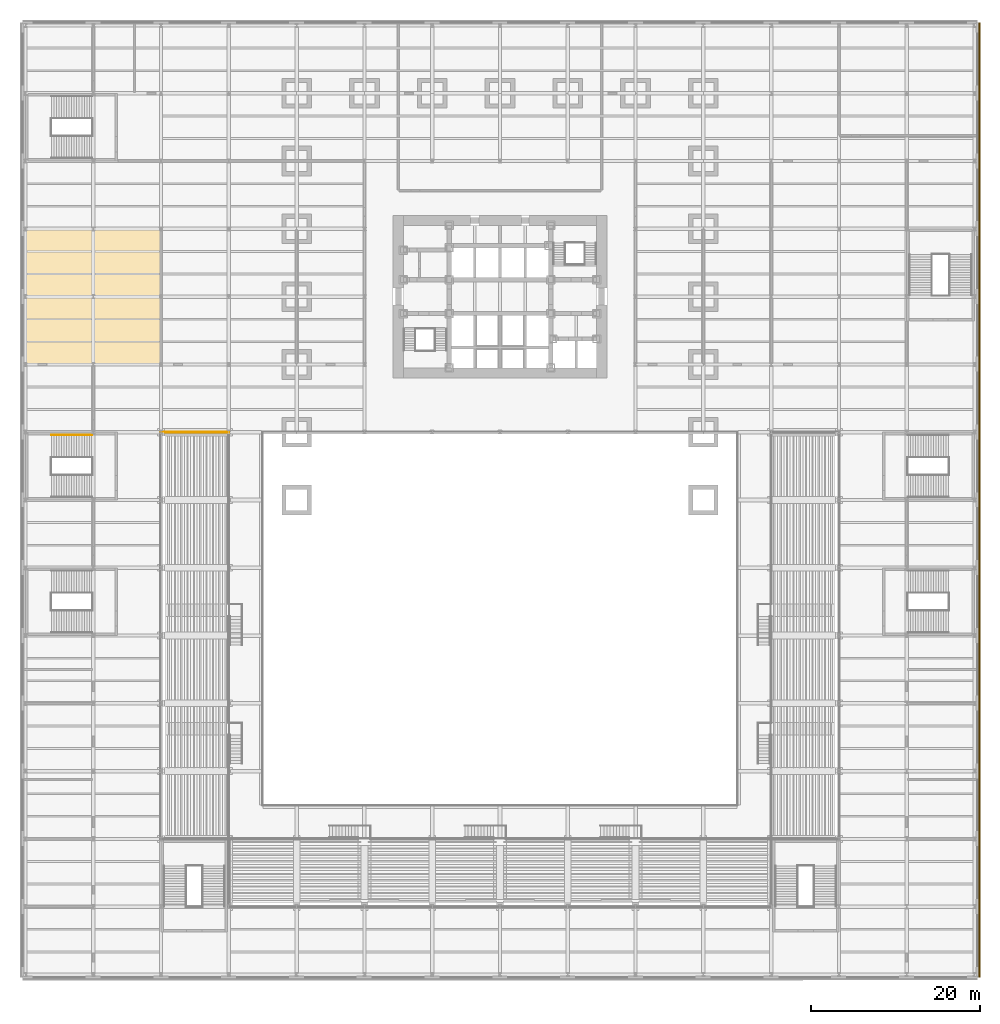
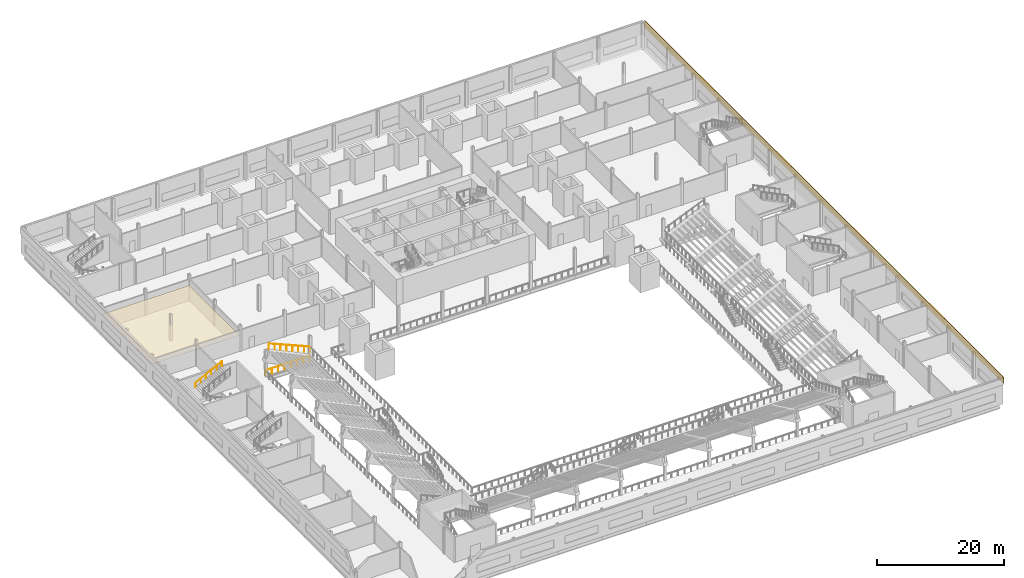
# One storey, part 25 of 27: 3 railings, 2 coverings.
"""IFC4 building model written with IfcOpenShell, lengths in metres."""

from ifc_helpers import new_model, si_unit, direction, frame, origin, origin_2d, place, context, subcontext, project, spatial, polyline, rectangle, circle, outline, extrude, material, layer, layer_set, type_object, element, save


model = new_model("IFC4")

# Units and contexts
model_context = context("Model", 3, precision=1e-05, world=origin(), true_north=direction((0.0, 1.0)))
body_context = subcontext(model_context, "Body", "Model", "MODEL_VIEW")
ifc_project = project(units=[si_unit("LENGTHUNIT", "METRE"), si_unit("AREAUNIT", "SQUARE_METRE"), si_unit("VOLUMEUNIT", "CUBIC_METRE"), si_unit("PLANEANGLEUNIT", "RADIAN"), si_unit("MASSUNIT", "GRAM", prefix="KILO")], contexts=[model_context])

# Site, building, storey
site_placement = place(None, origin())
site = spatial("IfcSite", under=ifc_project, at=site_placement, CompositionType="ELEMENT")
building_placement = place(site_placement, origin())
building = spatial("IfcBuilding", under=site, at=building_placement, Name="Daluyong Arena Tower", CompositionType="ELEMENT")
storey_placement = place(building_placement, frame((0.0, 0.0, 14.89990234375)))
storey = spatial("IfcBuildingStorey", under=building, at=storey_placement, Name="L03", CompositionType="ELEMENT", Elevation=14.89990234375)

# Railings
ifc_material_1 = material(Name="Steel guard with glass infill", Category="steel")
railing_type_1 = type_object("IfcRailingType", Name="Floor edge guard 1100", PredefinedType="GUARDRAIL", material=ifc_material_1)
railing_1_placement = place(storey_placement, frame((24.0, 63.949951171875, 1.785888671875)))
element("IfcRailing", 1, at=railing_1_placement, inside=storey, type_object=railing_type_1, Name="bowl guard", PredefinedType="GUARDRAIL", context=body_context, shape_type="SweptSolid", body=[
    extrude(circle(Radius=0.02392578125, at=origin_2d()), frame((0.0, 0.0, 1.076171875), z_axis=(-0.919152767859, 0.0, 0.393901243127), x_axis=(0.0, -1.0, 0.0)), (0.0, 0.0, 1.0), 8.15966796875),
    extrude(circle(Radius=0.02099609375, at=origin_2d()), origin(), (0.0, 0.0, 1.0), 1.052001953125),
    extrude(circle(Radius=0.02099609375, at=origin_2d()), frame((-1.071533203125, 0.0, 0.459228515625)), (0.0, 0.0, 1.0), 1.052001953125),
    extrude(circle(Radius=0.02099609375, at=origin_2d()), frame((-2.142822265625, 0.0, 0.918212890625)), (0.0, 0.0, 1.0), 1.052001953125),
    extrude(circle(Radius=0.02099609375, at=origin_2d()), frame((-3.21435546875, 0.0, 1.37744140625)), (0.0, 0.0, 1.0), 1.052001953125),
    extrude(circle(Radius=0.02099609375, at=origin_2d()), frame((-4.28564453125, 0.0, 1.836669921875)), (0.0, 0.0, 1.0), 1.052001953125),
    extrude(circle(Radius=0.02099609375, at=origin_2d()), frame((-5.357177734375, 0.0, 2.2958984375)), (0.0, 0.0, 1.0), 1.052001953125),
    extrude(circle(Radius=0.02099609375, at=origin_2d()), frame((-6.428466796875, 0.0, 2.7548828125)), (0.0, 0.0, 1.0), 1.052001953125),
    extrude(circle(Radius=0.02099609375, at=origin_2d()), frame((-7.5, 0.0, 3.214111328125)), (0.0, 0.0, 1.0), 1.052001953125),
])
railing_2_placement = place(storey_placement, frame((16.0, 64.050048828125, 0.0)))
element("IfcRailing", 2, at=railing_2_placement, inside=storey, type_object=railing_type_1, Name="floor edge guard L03", PredefinedType="GUARDRAIL", context=body_context, shape_type="SweptSolid", body=[
    extrude(circle(Radius=0.02392578125, at=origin_2d()), frame((0.0, 0.0, 1.076171875), z_axis=(1.0, 0.0, 0.0), x_axis=(0.0, 1.0, 0.0)), (0.0, 0.0, 1.0), 8.0),
    extrude(circle(Radius=0.02099609375, at=origin_2d()), origin(), (0.0, 0.0, 1.0), 1.052001953125),
    extrude(circle(Radius=0.02099609375, at=origin_2d()), frame((1.142822265625, 0.0, 0.0)), (0.0, 0.0, 1.0), 1.052001953125),
    extrude(circle(Radius=0.02099609375, at=origin_2d()), frame((2.28564453125, 0.0, 0.0)), (0.0, 0.0, 1.0), 1.052001953125),
    extrude(circle(Radius=0.02099609375, at=origin_2d()), frame((3.428466796875, 0.0, 0.0)), (0.0, 0.0, 1.0), 1.052001953125),
    extrude(circle(Radius=0.02099609375, at=origin_2d()), frame((4.571533203125, 0.0, 0.0)), (0.0, 0.0, 1.0), 1.052001953125),
    extrude(circle(Radius=0.02099609375, at=origin_2d()), frame((5.71435546875, 0.0, 0.0)), (0.0, 0.0, 1.0), 1.052001953125),
    extrude(circle(Radius=0.02099609375, at=origin_2d()), frame((6.857177734375, 0.0, 0.0)), (0.0, 0.0, 1.0), 1.052001953125),
    extrude(circle(Radius=0.02099609375, at=origin_2d()), frame((8.0, 0.0, 0.0)), (0.0, 0.0, 1.0), 1.052001953125),
])

# Coverings
ifc_material_2 = material(Name="Mineral fibre ceiling tile", Category="gypsum board")
ifc_layer_1 = layer(ifc_material_2, 0.02001953125)
ifc_layer_set_1 = layer_set([ifc_layer_1], Name="Mineral fibre ceiling tile")
covering_type_1 = type_object("IfcCoveringType", Name="Office ceiling", PredefinedType="CEILING", material=ifc_layer_set_1)
covering_1_placement = place(storey_placement, frame((0.0, 0.0, 2.900146484375)))
element("IfcCovering", 3, at=covering_1_placement, inside=storey, type_object=covering_type_1, Name="ceiling L03-15", PredefinedType="CEILING", context=body_context, shape_type="SweptSolid", body=[
    extrude(outline(polyline([(15.89990234375, 72.10009765625), (15.89990234375, 87.89990234375), (0.10009765625, 87.89990234375), (0.10009765625, 72.10009765625), (15.89990234375, 72.10009765625)])), origin(), (0.0, 0.0, 1.0), 0.02001953125),
])
ifc_material_3 = material(Name="Red-pigmented glass fibre reinforced concrete", Category="concrete")
ifc_layer_2 = layer(ifc_material_3, 0.14990234375)
ifc_layer_set_2 = layer_set([ifc_layer_2], Name="Red-pigmented glass fibre reinforced concrete")
covering_type_2 = type_object("IfcCoveringType", Name="Podium band cladding", PredefinedType="CLADDING", material=ifc_layer_set_2)
covering_2_placement = place(storey_placement, frame((112.574951171875, 56.0, 3.80029296875), z_axis=(0.0, 0.0, 1.0), x_axis=(0.0, 1.0, 0.0)))
element("IfcCovering", 4, at=covering_2_placement, inside=storey, type_object=covering_type_2, Name="podium band E L03", PredefinedType="CLADDING", context=body_context, shape_type="SweptSolid", body=[
    extrude(rectangle(XDim=112.699951171875, YDim=0.14990234375, at=origin_2d()), origin(), (0.0, 0.0, 1.0), 1.199951171875),
])

# Railing
ifc_material_4 = material(Name="Stainless steel handrail", Category="steel")
railing_type_2 = type_object("IfcRailingType", Name="Stair handrail", PredefinedType="HANDRAIL", material=ifc_material_4)
railing_3_placement = place(storey_placement, frame((3.0400390625, 63.64990234375, 2.647216796875)))
element("IfcRailing", 5, at=railing_3_placement, inside=storey, type_object=railing_type_2, Name="exit stair PS7 handrail L03", PredefinedType="HANDRAIL", context=body_context, shape_type="SweptSolid", body=[
    extrude(circle(Radius=0.02392578125, at=origin_2d()), frame((0.0, 0.0, 0.8759765625), z_axis=(0.89793417156, 0.0, 0.440129780343), x_axis=(0.0, 1.0, 0.0)), (0.0, 0.0, 1.0), 5.345703125),
    extrude(circle(Radius=0.02099609375, at=origin_2d()), origin(), (0.0, 0.0, 1.0), 0.851806640625),
    extrude(circle(Radius=0.02099609375, at=origin_2d()), frame((0.9599609375, 0.0, 0.470458984375)), (0.0, 0.0, 1.0), 0.851806640625),
    extrude(circle(Radius=0.02099609375, at=origin_2d()), frame((1.919921875, 0.0, 0.941162109375)), (0.0, 0.0, 1.0), 0.851806640625),
    extrude(circle(Radius=0.02099609375, at=origin_2d()), frame((2.880126953125, 0.0, 1.41162109375)), (0.0, 0.0, 1.0), 0.851806640625),
    extrude(circle(Radius=0.02099609375, at=origin_2d()), frame((3.840087890625, 0.0, 1.88232421875)), (0.0, 0.0, 1.0), 0.851806640625),
    extrude(circle(Radius=0.02099609375, at=origin_2d()), frame((4.800048828125, 0.0, 2.352783203125)), (0.0, 0.0, 1.0), 0.851806640625),
])

save(model, "model.ifc")
